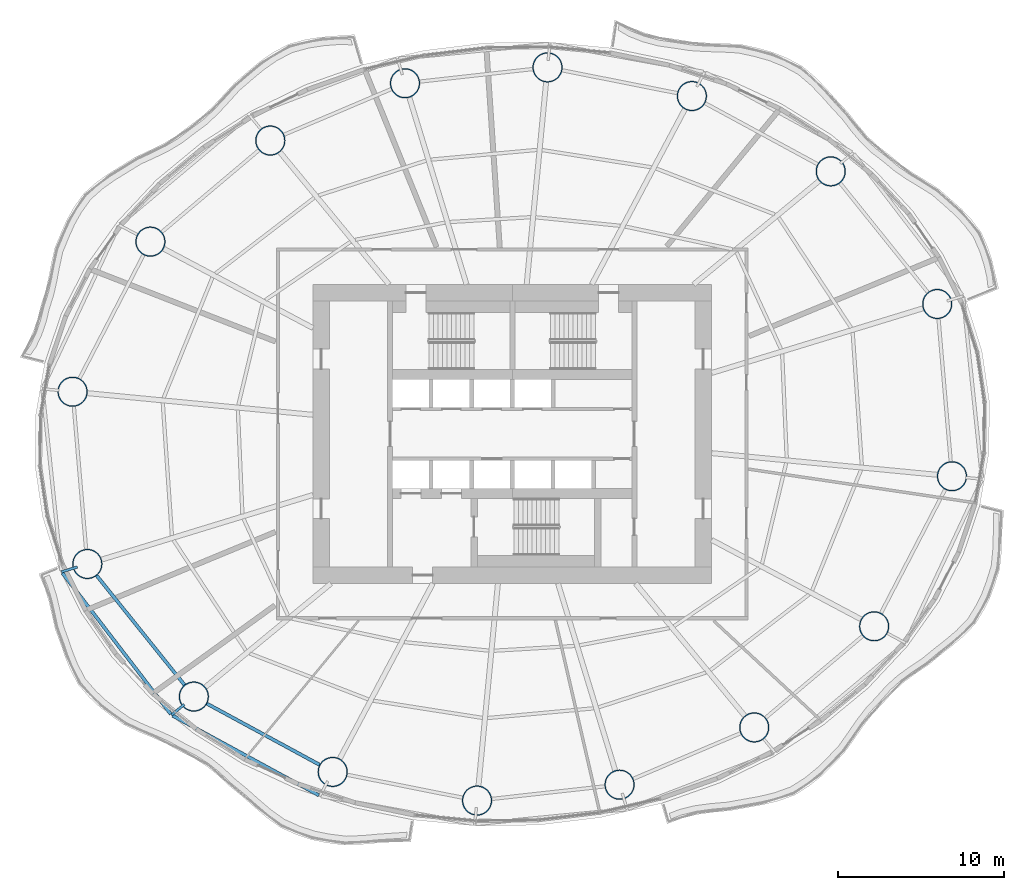
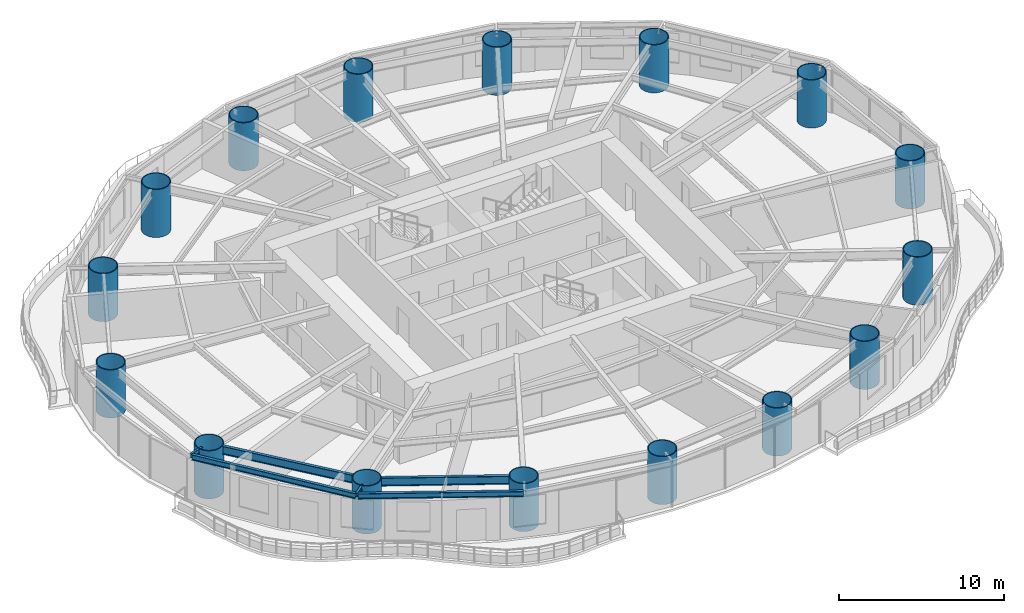
# One storey, part 1 of 16: 16 columns, 6 beams.
"""IFC4 building model written with IfcOpenShell, lengths in metres."""

from ifc_helpers import new_model, si_unit, direction, frame, origin, origin_2d, place, context, subcontext, project, spatial, hollow_circle, i_section, extrude, material, material_profile, profile_set, type_object, element, save


model = new_model("IFC4")

# Units and contexts
model_context = context("Model", 3, precision=1e-05, world=origin(), true_north=direction((0.0, 1.0)))
body_context = subcontext(model_context, "Body", "Model", "MODEL_VIEW")
ifc_project = project(units=[si_unit("LENGTHUNIT", "METRE"), si_unit("AREAUNIT", "SQUARE_METRE"), si_unit("VOLUMEUNIT", "CUBIC_METRE"), si_unit("PLANEANGLEUNIT", "RADIAN"), si_unit("MASSUNIT", "GRAM", prefix="KILO")], contexts=[model_context])

# Site, building, storey
site_placement = place(None, origin())
site = spatial("IfcSite", under=ifc_project, at=site_placement, CompositionType="ELEMENT")
building_placement = place(site_placement, origin())
building = spatial("IfcBuilding", under=site, at=building_placement, Name="Vermilion Reach Broadcast Tower", CompositionType="ELEMENT")
storey_placement = place(building_placement, frame((0.0, 0.0, 50.800048828125)))
storey = spatial("IfcBuildingStorey", under=building, at=storey_placement, Name="L09", CompositionType="ELEMENT", Elevation=50.800048828125)

# Columns
ifc_material_1 = material(Name="Concrete C80 infill in steel S460NL tube", Category="concrete")
ifc_material_profile_1 = material_profile(ifc_material_1, hollow_circle(Radius=0.89990234375, WallThickness=0.06005859375, at=origin_2d()), Name="Concrete C80 infill in steel S460NL tube CFT 1800x60")
ifc_profile_set_1 = profile_set([ifc_material_profile_1], Name="Concrete C80 infill in steel S460NL tube")
column_type = type_object("IfcColumnType", Name="MC1 CFT 1800x60", PredefinedType="COLUMN", material=ifc_profile_set_1)
for number, where, z_axis, x_axis, name in (
    (1, (19.575439453125, 7.823974609375, 0.0), (0.0, 0.0, 1.0), (1.0, 0.0, 0.0), "Mega-column MC1-01"),
    (2, (13.166259765625, 15.804931640625, 0.0), (0.0, 0.0, 1.0), (1.0, 0.0, 0.0), "Mega-column MC1-02"),
    (3, (4.809814453125, 20.3388671875, 0.0), (0.0, 0.0, 1.0), (1.0, 0.0, 0.0), "Mega-column MC1-03"),
    (4, (-3.87939453125, 22.06396484375, 0.0), (0.0, 0.0, 1.0), (1.0, 0.0, 0.0), "Mega-column MC1-04"),
    (5, (-12.45751953125, 21.108154296875, 0.0), (0.0, 0.0, 1.0), (1.0, 0.0, 0.0), "Mega-column MC1-05"),
    (6, (-20.563232421875, 17.660400390625, 0.0), (0.0, 0.0, 1.0), (1.0, 0.0, 0.0), "Mega-column MC1-06"),
    (7, (-27.77978515625, 11.57568359375, 0.0), (0.0, 0.0, 1.0), (1.0, 0.0, 0.0), "Mega-column MC1-07"),
    (8, (-32.464111328125, 2.54345703125, 0.0), (0.0, 0.0, 1.0), (1.0, 0.0, 0.0), "Mega-column MC1-08"),
    (9, (-31.575439453125, -7.823974609375, 0.0), (0.0, 0.0, 1.0), (1.0, 0.0, 0.0), "Mega-column MC1-09"),
    (10, (-25.166259765625, -15.804931640625, 0.0), (0.0, 0.0, 1.0), (1.0, 0.0, 0.0), "Mega-column MC1-10"),
    (11, (-16.809814453125, -20.3388671875, 0.0), (0.0, 0.0, 1.0), (1.0, 0.0, 0.0), "Mega-column MC1-11"),
    (12, (-8.12060546875, -22.06396484375, 0.0), (0.0, 0.0, 1.0), (1.0, 0.0, 0.0), "Mega-column MC1-12"),
    (13, (0.45751953125, -21.108154296875, 0.0), (0.0, 0.0, 1.0), (1.0, 0.0, 0.0), "Mega-column MC1-13"),
    (14, (8.563232421875, -17.660400390625, 0.0), (0.0, 0.0, 1.0), (1.0, 0.0, 0.0), "Mega-column MC1-14"),
    (15, (15.77978515625, -11.57568359375, 0.0), (0.0, 0.0, 1.0), (1.0, 0.0, 0.0), "Mega-column MC1-15"),
    (16, (20.464111328125, -2.54345703125, 0.0), (0.0, 0.0, 1.0), (1.0, 0.0, 0.0), "Mega-column MC1-16"),
):
    element("IfcColumn", number, at=place(storey_placement, frame(where, z_axis=z_axis, x_axis=x_axis)), inside=storey, type_object=column_type, Name=name, PredefinedType="COLUMN", context=body_context, shape_type="SweptSolid", body=[
        extrude(hollow_circle(Radius=0.89990234375, WallThickness=0.06005859375, at=origin_2d()), origin(), (0.0, 0.0, 1.0), 3.550048828125),
    ])

# Beams
ifc_material_2 = material(Name="Steel S355J2", Category="steel")
ifc_material_profile_2 = material_profile(ifc_material_2, i_section(OverallWidth=0.199951171875, OverallDepth=0.39990234375, WebThickness=0.008056640625, FlangeThickness=0.012939453125, at=origin_2d()), Name="S355J2 HN 400x200x8x13")
ifc_profile_set_2 = profile_set([ifc_material_profile_2], Name="Steel S355J2")
beam_type_1 = type_object("IfcBeamType", Name="EB1 HN 400x200x8x13", PredefinedType="BEAM", material=ifc_profile_set_2)
beam_1_placement = place(storey_placement, frame((-33.07958984375, -8.362548828125, 3.349853515625), z_axis=(0.608997627063, -0.793172043274, 0.0), x_axis=(0.793172043274, 0.608997627063, 0.0)))
element("IfcBeam", 17, at=beam_1_placement, inside=storey, type_object=beam_type_1, Name="Edge beam EB1-09", PredefinedType="BEAM", context=body_context, shape_type="SweptSolid", body=[
    extrude(i_section(OverallWidth=0.199951171875, OverallDepth=0.39990234375, WebThickness=0.008056640625, FlangeThickness=0.012939453125, at=origin_2d()), origin(), (0.0, 0.0, 1.0), 10.708251953125),
])
beam_2_placement = place(storey_placement, frame((-26.441650390625, -16.9541015625, 3.349853515625), z_axis=(0.878152468234, -0.478380855108, 0.0), x_axis=(0.478380855108, 0.878152468234, 0.0)))
element("IfcBeam", 18, at=beam_2_placement, inside=storey, type_object=beam_type_1, Name="Edge beam EB1-10", PredefinedType="BEAM", context=body_context, shape_type="SweptSolid", body=[
    extrude(i_section(OverallWidth=0.199951171875, OverallDepth=0.39990234375, WebThickness=0.008056640625, FlangeThickness=0.012939453125, at=origin_2d()), origin(), (0.0, 0.0, 1.0), 10.01904296875),
])
ifc_material_3 = material(Name="Steel S355J2", Category="steel")
ifc_material_profile_3 = material_profile(ifc_material_3, i_section(OverallWidth=0.14990234375, OverallDepth=0.300048828125, WebThickness=0.006591796875, FlangeThickness=0.009033203125, at=origin_2d()), Name="S355J2 HN 300x150x6.5x9")
ifc_profile_set_3 = profile_set([ifc_material_profile_3], Name="Steel S355J2")
beam_type_2 = type_object("IfcBeamType", Name="GS1 HN 300x150x6.5x9", PredefinedType="BEAM", material=ifc_profile_set_3)
for number, where, z_axis, x_axis, name in (
    (19, (-32.172119140625, -8.006591796875, 3.39990234375), (-0.95627383467, -0.292472824594, 0.0), (0.292472824594, -0.95627383467, 0.0), "Cantilever stub GS1-09"),
    (20, (-25.7412109375, -16.279052734375, 3.39990234375), (-0.771493112118, -0.636237674108, 0.0), (0.636237674108, -0.771493112118, 0.0), "Cantilever stub GS1-10"),
):
    element("IfcBeam", number, at=place(storey_placement, frame(where, z_axis=z_axis, x_axis=x_axis)), inside=storey, type_object=beam_type_2, Name=name, PredefinedType="BEAM", context=body_context, shape_type="SweptSolid", body=[
        extrude(i_section(OverallWidth=0.14990234375, OverallDepth=0.300048828125, WebThickness=0.006591796875, FlangeThickness=0.009033203125, at=origin_2d()), origin(), (0.0, 0.0, 1.0), 1.0),
    ])
ifc_material_4 = material(Name="Steel S355J2", Category="steel")
ifc_material_profile_4 = material_profile(ifc_material_4, i_section(OverallWidth=0.199951171875, OverallDepth=0.60009765625, WebThickness=0.010986328125, FlangeThickness=0.01708984375, at=origin_2d()), Name="S355J2 HN 600x200x11x17")
ifc_profile_set_4 = profile_set([ifc_material_profile_4], Name="Steel S355J2")
beam_type_3 = type_object("IfcBeamType", Name="RB1 HN 600x200x11x17", PredefinedType="BEAM", material=ifc_profile_set_4)
beam_3_placement = place(storey_placement, frame((-31.011962890625, -8.52587890625, 3.25), z_axis=(0.626162157191, -0.779692858055, 0.0), x_axis=(0.779692858055, 0.626162157191, 0.0)))
element("IfcBeam", 21, at=beam_3_placement, inside=storey, type_object=beam_type_3, Name="Ring beam RB1-09", PredefinedType="BEAM", context=body_context, shape_type="SweptSolid", body=[
    extrude(i_section(OverallWidth=0.199951171875, OverallDepth=0.60009765625, WebThickness=0.010986328125, FlangeThickness=0.01708984375, at=origin_2d()), origin(), (0.0, 0.0, 1.0), 8.435791015625),
])
beam_4_placement = place(storey_placement, frame((-24.375244140625, -16.234130859375, 3.25), z_axis=(0.878962319551, -0.476891225344, 0.0), x_axis=(0.476891225344, 0.878962319551, 0.0)))
element("IfcBeam", 22, at=beam_4_placement, inside=storey, type_object=beam_type_3, Name="Ring beam RB1-10", PredefinedType="BEAM", context=body_context, shape_type="SweptSolid", body=[
    extrude(i_section(OverallWidth=0.199951171875, OverallDepth=0.60009765625, WebThickness=0.010986328125, FlangeThickness=0.01708984375, at=origin_2d()), origin(), (0.0, 0.0, 1.0), 7.707275390625),
])

save(model, "model.ifc")
